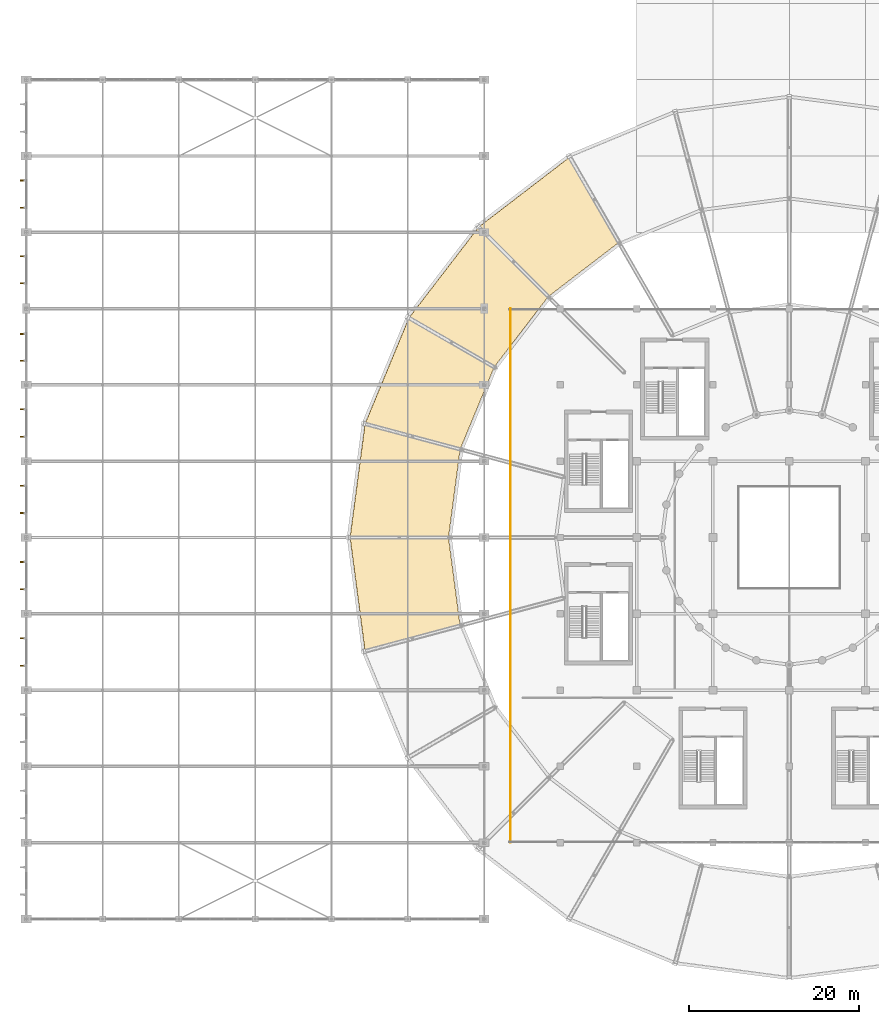
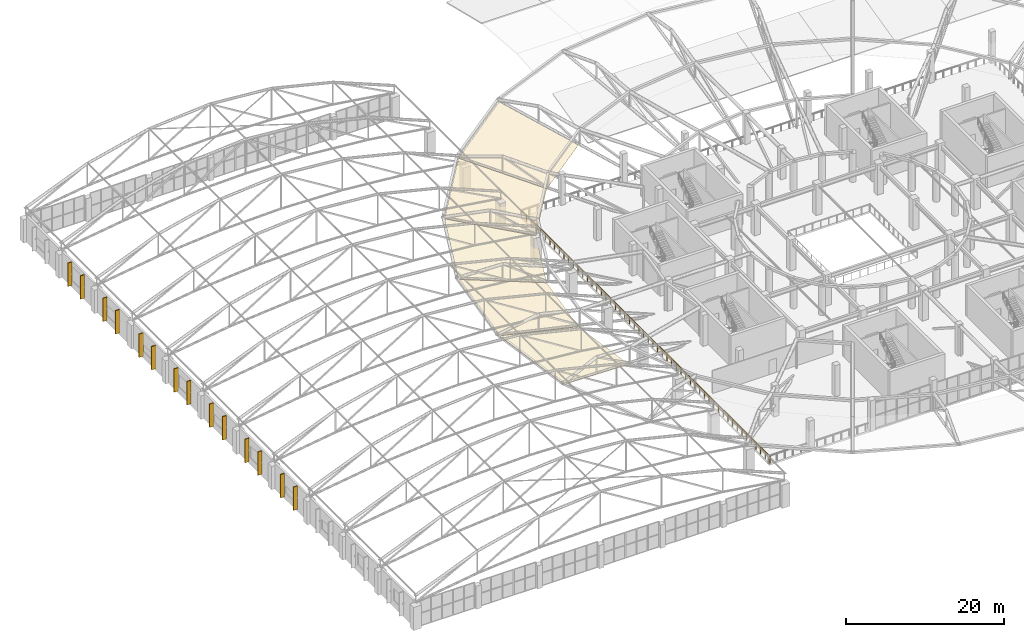
# One storey, part 154 of 167: 14 shading devices, 5 coverings, 1 railing.
"""IFC4 building model written with IfcOpenShell, lengths in metres."""

from ifc_helpers import new_model, si_unit, direction, frame, origin, origin_2d, place, context, subcontext, project, spatial, polyline, rectangle, circle, outline, extrude, material, layer, layer_set, type_object, element, save


model = new_model("IFC4")

# Units and contexts
model_context = context("Model", 3, precision=1e-05, world=origin(), true_north=direction((0.0, 1.0)))
body_context = subcontext(model_context, "Body", "Model", "MODEL_VIEW")
ifc_project = project(units=[si_unit("LENGTHUNIT", "METRE"), si_unit("AREAUNIT", "SQUARE_METRE"), si_unit("VOLUMEUNIT", "CUBIC_METRE"), si_unit("PLANEANGLEUNIT", "RADIAN"), si_unit("MASSUNIT", "GRAM", prefix="KILO")], contexts=[model_context])

# Site, building, storey
site_placement = place(None, origin())
site = spatial("IfcSite", under=ifc_project, at=site_placement, CompositionType="ELEMENT")
building_placement = place(site_placement, origin())
building = spatial("IfcBuilding", under=site, at=building_placement, Name="Dornveld Trade and Exhibition Forum", CompositionType="ELEMENT")
storey_placement = place(building_placement, frame((0.0, 0.0, 16.800048828125)))
storey = spatial("IfcBuildingStorey", under=building, at=storey_placement, Name="L03", CompositionType="ELEMENT", Elevation=16.800048828125)

# Coverings
ifc_material_1 = material(Name="Acoustic perforated aluminium soffit panel", Category="aluminium")
ifc_layer_1 = layer(ifc_material_1, 0.044921875)
ifc_layer_set_1 = layer_set([ifc_layer_1], Name="Acoustic perforated aluminium soffit panel")
covering_type = type_object("IfcCoveringType", Name="COV-SOFFIT-DISC", PredefinedType="CEILING", material=ifc_layer_set_1)
covering_1_placement = place(storey_placement, frame((96.89990234375, 115.814208984375, 1.9111328125), z_axis=(0.135870052813, -0.177072359886, 0.974774183138), x_axis=(-0.487581622675, 0.844544884313, 0.221377730608)))
element("IfcCovering", 1, at=covering_1_placement, inside=storey, type_object=covering_type, Name="Floating disc conical soffit panel 9", PredefinedType="CEILING", context=body_context, shape_type="SweptSolid", body=[
    extrude(outline(polyline([(0.0, 0.0), (11.895044465416484, 1.3877787807814457e-17), (10.17371507966031, 13.412589790196648), (-1.33586364535027, 10.408865670263626), (0.0, 0.0)])), origin(), (0.0, 0.0, -1.0), 0.044921875),
])
covering_2_placement = place(storey_placement, frame((88.57421875, 109.42578125, 1.9111328125), z_axis=(0.177072359886, -0.135870052813, 0.974774183138), x_axis=(-0.68956214752, 0.689562157584, 0.221377676236)))
element("IfcCovering", 2, at=covering_2_placement, inside=storey, type_object=covering_type, Name="Floating disc conical soffit panel 10", PredefinedType="CEILING", context=body_context, shape_type="SweptSolid", body=[
    extrude(outline(polyline([(0.0, 0.0), (11.895072972280731, -2.7755575615628914e-17), (10.173692747521988, 13.412583265581787), (-1.3358583944717388, 10.408866344154898), (0.0, 0.0)])), origin(), (0.0, 0.0, -1.0), 0.044921875),
])
covering_3_placement = place(storey_placement, frame((82.185791015625, 101.10009765625, 1.9111328125), z_axis=(0.206203115777, -0.085410312961, 0.974774514174), x_axis=(-0.844545114921, 0.487581702923, 0.221376674106)))
element("IfcCovering", 3, at=covering_3_placement, inside=storey, type_object=covering_type, Name="Floating disc conical soffit panel 11", PredefinedType="CEILING", context=body_context, shape_type="SweptSolid", body=[
    extrude(outline(polyline([(0.0, 0.0), (11.895044465406349, 2.7755575615628914e-17), (10.17396227641924, 13.41251758413816), (-1.3357933527418937, 10.408971113645803), (0.0, 0.0)])), origin(), (0.0, 0.0, -1.0), 0.044921875),
])
covering_4_placement = place(storey_placement, frame((78.169921875, 91.404541015625, 1.9111328125), z_axis=(0.221280443125, -0.029133938647, 0.97477493767), x_axis=(-0.941962679743, 0.252387300846, 0.221375157464)))
element("IfcCovering", 4, at=covering_4_placement, inside=storey, type_object=covering_type, Name="Floating disc conical soffit panel 12", PredefinedType="CEILING", context=body_context, shape_type="SweptSolid", body=[
    extrude(outline(polyline([(0.0, 0.0), (11.895199285579976, 9.159339953157541e-16), (10.174201711338686, 13.412475771730909), (-1.335604737328647, 10.408995431644788), (0.0, 0.0)])), origin(), (0.0, 0.0, -1.0), 0.044921875),
])
covering_5_placement = place(storey_placement, frame((76.800048828125, 81.0, 1.9111328125), z_axis=(0.221280443125, 0.029133938647, 0.97477493767), x_axis=(-0.975188889038, -2.095e-09, 0.221374412922)))
element("IfcCovering", 5, at=covering_5_placement, inside=storey, type_object=covering_type, Name="Floating disc conical soffit panel 13", PredefinedType="CEILING", context=body_context, shape_type="SweptSolid", body=[
    extrude(outline(polyline([(0.0, 0.0), (11.89523176062862, 0.0), (10.173890072953098, 13.41243161295085), (-1.3358849529112242, 10.408959472635203), (0.0, 0.0)])), origin(), (0.0, 0.0, -1.0), 0.044921875),
])

# Railing
ifc_material_2 = material(Name="Dark-bronze steel and laminated glass balustrade", Category="steel")
railing_type = type_object("IfcRailingType", Name="RL-BALUST-CONC", PredefinedType="BALUSTRADE", material=ifc_material_2)
railing_placement = place(storey_placement, frame((84.10009765625, 45.0, 0.0)))
element("IfcRailing", 6, at=railing_placement, inside=storey, type_object=railing_type, Name="L03 deck edge balustrade 198", PredefinedType="BALUSTRADE", context=body_context, shape_type="SweptSolid", body=[
    extrude(circle(Radius=0.02490234375, at=origin_2d()), frame((0.0, 0.0, 1.09521484375), z_axis=(0.0, 1.0, 0.0), x_axis=(-1.0, 0.0, 0.0)), (0.0, 0.0, 1.0), 63.0),
    extrude(circle(Radius=0.02099609375, at=origin_2d()), origin(), (0.0, 0.0, 1.0), 1.070068359375),
    extrude(circle(Radius=0.02099609375, at=origin_2d()), frame((0.0, 1.188720703125, 0.0)), (0.0, 0.0, 1.0), 1.070068359375),
    extrude(circle(Radius=0.02099609375, at=origin_2d()), frame((0.0, 2.37744140625, 0.0)), (0.0, 0.0, 1.0), 1.070068359375),
    extrude(circle(Radius=0.02099609375, at=origin_2d()), frame((0.0, 3.56591796875, 0.0)), (0.0, 0.0, 1.0), 1.070068359375),
    extrude(circle(Radius=0.02099609375, at=origin_2d()), frame((0.0, 4.754638671875, 0.0)), (0.0, 0.0, 1.0), 1.070068359375),
    extrude(circle(Radius=0.02099609375, at=origin_2d()), frame((0.0, 5.943359375, 0.0)), (0.0, 0.0, 1.0), 1.070068359375),
    extrude(circle(Radius=0.02099609375, at=origin_2d()), frame((0.0, 7.132080078125, 0.0)), (0.0, 0.0, 1.0), 1.070068359375),
    extrude(circle(Radius=0.02099609375, at=origin_2d()), frame((0.0, 8.32080078125, 0.0)), (0.0, 0.0, 1.0), 1.070068359375),
    extrude(circle(Radius=0.02099609375, at=origin_2d()), frame((0.0, 9.509521484375, 0.0)), (0.0, 0.0, 1.0), 1.070068359375),
    extrude(circle(Radius=0.02099609375, at=origin_2d()), frame((0.0, 10.697998046875, 0.0)), (0.0, 0.0, 1.0), 1.070068359375),
    extrude(circle(Radius=0.02099609375, at=origin_2d()), frame((0.0, 11.88671875, 0.0)), (0.0, 0.0, 1.0), 1.070068359375),
    extrude(circle(Radius=0.02099609375, at=origin_2d()), frame((0.0, 13.075439453125, 0.0)), (0.0, 0.0, 1.0), 1.070068359375),
    extrude(circle(Radius=0.02099609375, at=origin_2d()), frame((0.0, 14.26416015625, 0.0)), (0.0, 0.0, 1.0), 1.070068359375),
    extrude(circle(Radius=0.02099609375, at=origin_2d()), frame((0.0, 15.452880859375, 0.0)), (0.0, 0.0, 1.0), 1.070068359375),
    extrude(circle(Radius=0.02099609375, at=origin_2d()), frame((0.0, 16.6416015625, 0.0)), (0.0, 0.0, 1.0), 1.070068359375),
    extrude(circle(Radius=0.02099609375, at=origin_2d()), frame((0.0, 17.830078125, 0.0)), (0.0, 0.0, 1.0), 1.070068359375),
    extrude(circle(Radius=0.02099609375, at=origin_2d()), frame((0.0, 19.018798828125, 0.0)), (0.0, 0.0, 1.0), 1.070068359375),
    extrude(circle(Radius=0.02099609375, at=origin_2d()), frame((0.0, 20.20751953125, 0.0)), (0.0, 0.0, 1.0), 1.070068359375),
    extrude(circle(Radius=0.02099609375, at=origin_2d()), frame((0.0, 21.396240234375, 0.0)), (0.0, 0.0, 1.0), 1.070068359375),
    extrude(circle(Radius=0.02099609375, at=origin_2d()), frame((0.0, 22.5849609375, 0.0)), (0.0, 0.0, 1.0), 1.070068359375),
    extrude(circle(Radius=0.02099609375, at=origin_2d()), frame((0.0, 23.773681640625, 0.0)), (0.0, 0.0, 1.0), 1.070068359375),
    extrude(circle(Radius=0.02099609375, at=origin_2d()), frame((0.0, 24.962158203125, 0.0)), (0.0, 0.0, 1.0), 1.070068359375),
    extrude(circle(Radius=0.02099609375, at=origin_2d()), frame((0.0, 26.15087890625, 0.0)), (0.0, 0.0, 1.0), 1.070068359375),
    extrude(circle(Radius=0.02099609375, at=origin_2d()), frame((0.0, 27.339599609375, 0.0)), (0.0, 0.0, 1.0), 1.070068359375),
    extrude(circle(Radius=0.02099609375, at=origin_2d()), frame((0.0, 28.5283203125, 0.0)), (0.0, 0.0, 1.0), 1.070068359375),
    extrude(circle(Radius=0.02099609375, at=origin_2d()), frame((0.0, 29.717041015625, 0.0)), (0.0, 0.0, 1.0), 1.070068359375),
    extrude(circle(Radius=0.02099609375, at=origin_2d()), frame((0.0, 30.90576171875, 0.0)), (0.0, 0.0, 1.0), 1.070068359375),
    extrude(circle(Radius=0.02099609375, at=origin_2d()), frame((0.0, 32.09423828125, 0.0)), (0.0, 0.0, 1.0), 1.070068359375),
    extrude(circle(Radius=0.02099609375, at=origin_2d()), frame((0.0, 33.282958984375, 0.0)), (0.0, 0.0, 1.0), 1.070068359375),
    extrude(circle(Radius=0.02099609375, at=origin_2d()), frame((0.0, 34.4716796875, 0.0)), (0.0, 0.0, 1.0), 1.070068359375),
    extrude(circle(Radius=0.02099609375, at=origin_2d()), frame((0.0, 35.660400390625, 0.0)), (0.0, 0.0, 1.0), 1.070068359375),
    extrude(circle(Radius=0.02099609375, at=origin_2d()), frame((0.0, 36.84912109375, 0.0)), (0.0, 0.0, 1.0), 1.070068359375),
    extrude(circle(Radius=0.02099609375, at=origin_2d()), frame((0.0, 38.037841796875, 0.0)), (0.0, 0.0, 1.0), 1.070068359375),
    extrude(circle(Radius=0.02099609375, at=origin_2d()), frame((0.0, 39.226318359375, 0.0)), (0.0, 0.0, 1.0), 1.070068359375),
    extrude(circle(Radius=0.02099609375, at=origin_2d()), frame((0.0, 40.4150390625, 0.0)), (0.0, 0.0, 1.0), 1.070068359375),
    extrude(circle(Radius=0.02099609375, at=origin_2d()), frame((0.0, 41.603759765625, 0.0)), (0.0, 0.0, 1.0), 1.070068359375),
    extrude(circle(Radius=0.02099609375, at=origin_2d()), frame((0.0, 42.79248046875, 0.0)), (0.0, 0.0, 1.0), 1.070068359375),
    extrude(circle(Radius=0.02099609375, at=origin_2d()), frame((0.0, 43.981201171875, 0.0)), (0.0, 0.0, 1.0), 1.070068359375),
    extrude(circle(Radius=0.02099609375, at=origin_2d()), frame((0.0, 45.169921875, 0.0)), (0.0, 0.0, 1.0), 1.070068359375),
    extrude(circle(Radius=0.02099609375, at=origin_2d()), frame((0.0, 46.3583984375, 0.0)), (0.0, 0.0, 1.0), 1.070068359375),
    extrude(circle(Radius=0.02099609375, at=origin_2d()), frame((0.0, 47.547119140625, 0.0)), (0.0, 0.0, 1.0), 1.070068359375),
    extrude(circle(Radius=0.02099609375, at=origin_2d()), frame((0.0, 48.73583984375, 0.0)), (0.0, 0.0, 1.0), 1.070068359375),
    extrude(circle(Radius=0.02099609375, at=origin_2d()), frame((0.0, 49.924560546875, 0.0)), (0.0, 0.0, 1.0), 1.070068359375),
    extrude(circle(Radius=0.02099609375, at=origin_2d()), frame((0.0, 51.11328125, 0.0)), (0.0, 0.0, 1.0), 1.070068359375),
    extrude(circle(Radius=0.02099609375, at=origin_2d()), frame((0.0, 52.302001953125, 0.0)), (0.0, 0.0, 1.0), 1.070068359375),
    extrude(circle(Radius=0.02099609375, at=origin_2d()), frame((0.0, 53.490478515625, 0.0)), (0.0, 0.0, 1.0), 1.070068359375),
    extrude(circle(Radius=0.02099609375, at=origin_2d()), frame((0.0, 54.67919921875, 0.0)), (0.0, 0.0, 1.0), 1.070068359375),
    extrude(circle(Radius=0.02099609375, at=origin_2d()), frame((0.0, 55.867919921875, 0.0)), (0.0, 0.0, 1.0), 1.070068359375),
    extrude(circle(Radius=0.02099609375, at=origin_2d()), frame((0.0, 57.056640625, 0.0)), (0.0, 0.0, 1.0), 1.070068359375),
    extrude(circle(Radius=0.02099609375, at=origin_2d()), frame((0.0, 58.245361328125, 0.0)), (0.0, 0.0, 1.0), 1.070068359375),
    extrude(circle(Radius=0.02099609375, at=origin_2d()), frame((0.0, 59.43408203125, 0.0)), (0.0, 0.0, 1.0), 1.070068359375),
    extrude(circle(Radius=0.02099609375, at=origin_2d()), frame((0.0, 60.62255859375, 0.0)), (0.0, 0.0, 1.0), 1.070068359375),
    extrude(circle(Radius=0.02099609375, at=origin_2d()), frame((0.0, 61.811279296875, 0.0)), (0.0, 0.0, 1.0), 1.070068359375),
    extrude(circle(Radius=0.02099609375, at=origin_2d()), frame((0.0, 63.0, 0.0)), (0.0, 0.0, 1.0), 1.070068359375),
])

# Shading devices
ifc_material_3 = material(Name="Precast concrete C50/60", Category="concrete")
ifc_layer_2 = layer(ifc_material_3, 0.139892578125)
ifc_layer_set_2 = layer_set([ifc_layer_2], Name="Precast concrete C50/60")
shading_device_type = type_object("IfcShadingDeviceType", Name="SHD-FIN-600", PredefinedType="JALOUSIE", material=ifc_layer_set_2)
for number, where, z_axis, x_axis, name in (
    (7, (26.554931640625, 69.1201171875, 0.2998046875), (0.0, 0.0, 1.0), (0.0, -1.0, 0.0), "L03 vertical solar brise-soleil fin 49"),
    (8, (26.554931640625, 65.8798828125, 0.2998046875), (0.0, 0.0, 1.0), (0.0, -1.0, 0.0), "L03 vertical solar brise-soleil fin 50"),
    (9, (26.554931640625, 78.1201171875, 0.2998046875), (0.0, 0.0, 1.0), (0.0, -1.0, 0.0), "L03 vertical solar brise-soleil fin 57"),
    (10, (26.554931640625, 74.8798828125, 0.2998046875), (0.0, 0.0, 1.0), (0.0, -1.0, 0.0), "L03 vertical solar brise-soleil fin 58"),
    (11, (26.554931640625, 87.1201171875, 0.2998046875), (0.0, 0.0, 1.0), (0.0, -1.0, 0.0), "L03 vertical solar brise-soleil fin 65"),
    (12, (26.554931640625, 83.8798828125, 0.2998046875), (0.0, 0.0, 1.0), (0.0, -1.0, 0.0), "L03 vertical solar brise-soleil fin 66"),
    (13, (26.554931640625, 96.1201171875, 0.2998046875), (0.0, 0.0, 1.0), (0.0, -1.0, 0.0), "L03 vertical solar brise-soleil fin 73"),
    (14, (26.554931640625, 92.8798828125, 0.2998046875), (0.0, 0.0, 1.0), (0.0, -1.0, 0.0), "L03 vertical solar brise-soleil fin 74"),
    (15, (26.554931640625, 105.01513671875, 0.2998046875), (0.0, 0.0, 1.0), (0.0, -1.0, 0.0), "L03 vertical solar brise-soleil fin 79"),
    (16, (26.554931640625, 101.834716796875, 0.2998046875), (0.0, 0.0, 1.0), (0.0, -1.0, 0.0), "L03 vertical solar brise-soleil fin 80"),
    (17, (26.554931640625, 114.165283203125, 0.2998046875), (0.0, 0.0, 1.0), (0.0, -1.0, 0.0), "L03 vertical solar brise-soleil fin 85"),
    (18, (26.554931640625, 110.98486328125, 0.2998046875), (0.0, 0.0, 1.0), (0.0, -1.0, 0.0), "L03 vertical solar brise-soleil fin 86"),
    (19, (26.554931640625, 123.1201171875, 0.2998046875), (0.0, 0.0, 1.0), (0.0, -1.0, 0.0), "L03 vertical solar brise-soleil fin 91"),
    (20, (26.554931640625, 119.8798828125, 0.2998046875), (0.0, 0.0, 1.0), (0.0, -1.0, 0.0), "L03 vertical solar brise-soleil fin 92"),
):
    element("IfcShadingDevice", number, at=place(storey_placement, frame(where, z_axis=z_axis, x_axis=x_axis)), inside=storey, type_object=shading_device_type, Name=name, PredefinedType="JALOUSIE", context=body_context, shape_type="SweptSolid", body=[
        extrude(rectangle(XDim=0.139892578125, YDim=0.60009765625, at=origin_2d()), origin(), (0.0, 0.0, 1.0), 3.6201171875),
    ])

save(model, "model.ifc")
